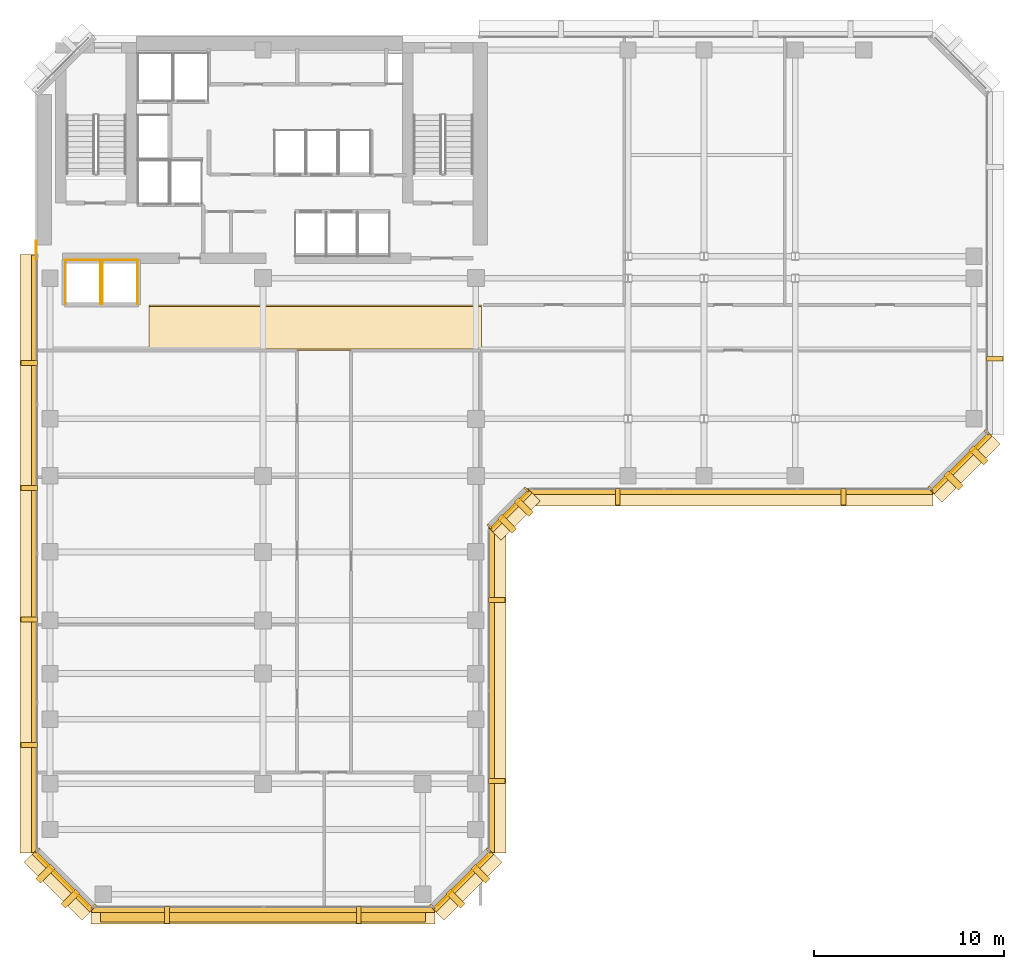
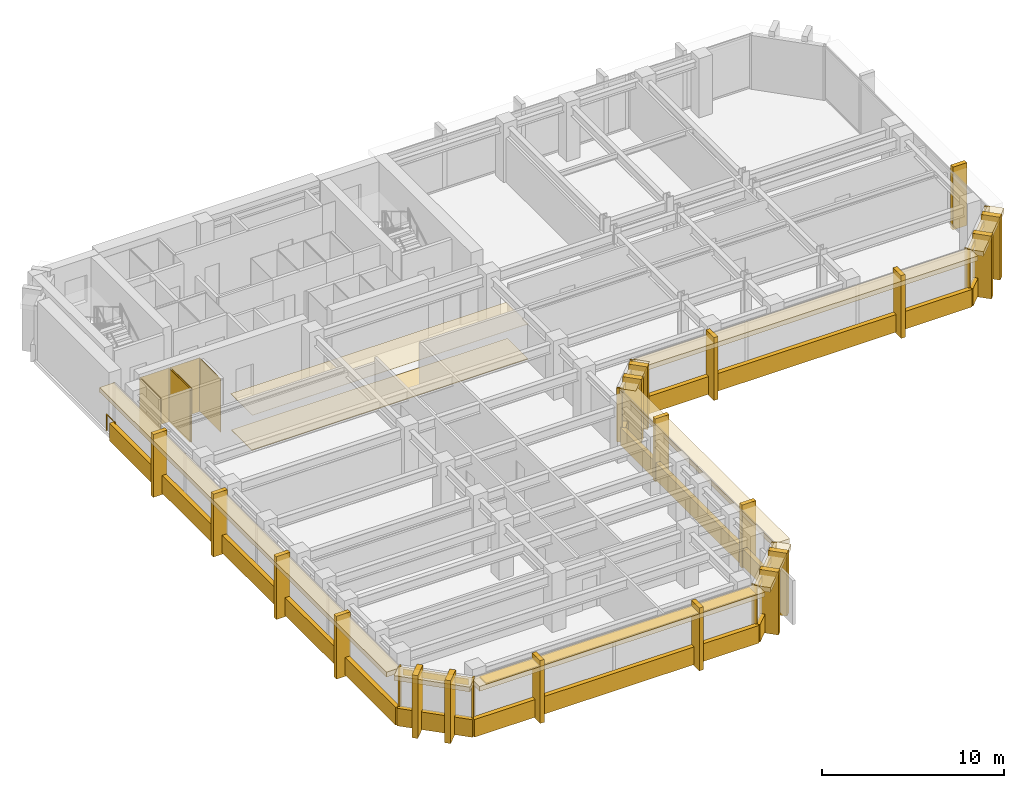
# One storey, part 9 of 11: 55 coverings, 1 railing, 1 shading device.
"""IFC4 building model written with IfcOpenShell, lengths in metres."""

from ifc_helpers import new_model, si_unit, direction, frame, origin, origin_2d, place, context, subcontext, project, spatial, polyline, rectangle, circle, outline, extrude, material, layer, layer_set, type_object, element, save


model = new_model("IFC4")

# Units and contexts
model_context = context("Model", 3, precision=1e-05, world=origin(), true_north=direction((0.0, 1.0)))
body_context = subcontext(model_context, "Body", "Model", "MODEL_VIEW")
ifc_project = project(units=[si_unit("LENGTHUNIT", "METRE"), si_unit("AREAUNIT", "SQUARE_METRE"), si_unit("VOLUMEUNIT", "CUBIC_METRE"), si_unit("PLANEANGLEUNIT", "RADIAN"), si_unit("MASSUNIT", "GRAM", prefix="KILO")], contexts=[model_context])

# Site, building, storey
site_placement = place(None, origin())
site = spatial("IfcSite", under=ifc_project, at=site_placement, CompositionType="ELEMENT")
building_placement = place(site_placement, origin())
building = spatial("IfcBuilding", under=site, at=building_placement, Name="Kefirva Bronze Tower", CompositionType="ELEMENT")
storey_placement = place(building_placement, frame((0.0, 0.0, 170.610107421875)))
storey = spatial("IfcBuildingStorey", under=building, at=storey_placement, Name="L41", CompositionType="ELEMENT", Elevation=170.610107421875)

# Coverings
ifc_material_1 = material(Name="Acoustic mineral tile")
ifc_layer_1 = layer(ifc_material_1, 0.02490234375, Name="Acoustic mineral tile")
ifc_layer_set_1 = layer_set([ifc_layer_1], Name="Acoustic mineral tile")
covering_type_1 = type_object("IfcCoveringType", Name="Acoustic Mineral Suspended Ceiling 25mm", PredefinedType="CEILING", material=ifc_layer_set_1)
covering_1_placement = place(storey_placement, frame((0.0, 0.0, 2.39990234375)))
element("IfcCovering", 1, at=covering_1_placement, inside=storey, type_object=covering_type_1, Name="L41 Corridor Acoustic Ceiling", PredefinedType="CEILING", context=body_context, shape_type="SweptSolid", body=[
    extrude(outline(polyline([(6.0, 29.39990234375), (23.5, 29.39990234375), (23.5, 31.800048828125), (6.0, 31.800048828125), (6.0, 29.39990234375)])), origin(), (0.0, 0.0, 1.0), 0.02490234375),
])
ifc_material_2 = material(Name="Bronze anodised aluminium", Category="aluminium")
ifc_layer_2 = layer(ifc_material_2, 0.02001953125, Name="Bronze anodised aluminium")
ifc_layer_set_2 = layer_set([ifc_layer_2], Name="Bronze anodised aluminium")
covering_type_2 = type_object("IfcCoveringType", Name="Anodised Bronze Spandrel Cladding 20mm", PredefinedType="CLADDING", material=ifc_layer_set_2)
covering_2_placement = place(storey_placement, frame((12.0, -0.0400390625, -0.16015625), z_axis=(0.0, 0.0, 1.0), x_axis=(1.0, 0.0, 0.0)))
element("IfcCovering", 2, at=covering_2_placement, inside=storey, type_object=covering_type_2, Name="L41 Streamline Horizontal Spandrel Band 0", PredefinedType="CLADDING", context=body_context, shape_type="SweptSolid", body=[
    extrude(rectangle(XDim=18.0400390625, YDim=0.280029296875, at=origin_2d()), origin(), (0.0, 0.0, 1.0), 1.179931640625),
])
covering_3_placement = place(storey_placement, frame((22.507080078125, 1.492919921875, 3.18994140625), z_axis=(0.0, 0.0, 1.0), x_axis=(0.707106781187, 0.707106781187, 0.0)))
element("IfcCovering", 3, at=covering_3_placement, inside=storey, type_object=covering_type_2, Name="L41 Bronze Spandrel Cladding 1", PredefinedType="CLADDING", context=body_context, shape_type="SweptSolid", body=[
    extrude(rectangle(XDim=3.719482421875, YDim=0.02001953125, at=origin_2d()), origin(), (0.0, 0.0, 1.0), 0.39990234375),
])
for number, where, z_axis, x_axis, name in (
    (4, (20.91162109375, 0.137939453125, 0.0), (0.0, 0.0, 1.0), (0.707106781187, 0.707106781187, 0.0), "L41 Facade Joint Closure Panel 1S"),
    (5, (23.862060546875, 3.08837890625, 0.0), (0.0, 0.0, 1.0), (0.707106781187, 0.707106781187, 0.0), "L41 Facade Joint Closure Panel 1E"),
):
    element("IfcCovering", number, at=place(storey_placement, frame(where, z_axis=z_axis, x_axis=x_axis)), inside=storey, type_object=covering_type_2, Name=name, PredefinedType="CLADDING", context=body_context, shape_type="SweptSolid", body=[
        extrude(rectangle(XDim=0.10009765625, YDim=0.320068359375, at=origin_2d()), origin(), (0.0, 0.0, 1.0), 3.610107421875),
    ])
covering_4_placement = place(storey_placement, frame((22.5283203125, 1.4716796875, -0.16015625), z_axis=(0.0, 0.0, 1.0), x_axis=(0.707106781187, 0.707106781187, 0.0)))
element("IfcCovering", 6, at=covering_4_placement, inside=storey, type_object=covering_type_2, Name="L41 Streamline Horizontal Spandrel Band 1", PredefinedType="CLADDING", context=body_context, shape_type="SweptSolid", body=[
    extrude(rectangle(XDim=4.28271484375, YDim=0.280029296875, at=origin_2d()), origin(), (0.0, 0.0, 1.0), 1.179931640625),
])
covering_5_placement = place(storey_placement, frame((24.0400390625, 11.5, -0.16015625), z_axis=(0.0, 0.0, 1.0), x_axis=(0.0, 1.0, 0.0)))
element("IfcCovering", 7, at=covering_5_placement, inside=storey, type_object=covering_type_2, Name="L41 Streamline Horizontal Spandrel Band 2", PredefinedType="CLADDING", context=body_context, shape_type="SweptSolid", body=[
    extrude(rectangle(XDim=17.0400390625, YDim=0.280029296875, at=origin_2d()), origin(), (0.0, 0.0, 1.0), 1.179931640625),
])
covering_6_placement = place(storey_placement, frame((25.007080078125, 20.992919921875, 3.18994140625), z_axis=(0.0, 0.0, 1.0), x_axis=(0.707106781187, 0.707106781187, 0.0)))
element("IfcCovering", 8, at=covering_6_placement, inside=storey, type_object=covering_type_2, Name="L41 Bronze Spandrel Cladding 2", PredefinedType="CLADDING", context=body_context, shape_type="SweptSolid", body=[
    extrude(rectangle(XDim=2.446533203125, YDim=0.02001953125, at=origin_2d()), origin(), (0.0, 0.0, 1.0), 0.39990234375),
])
for number, where, z_axis, x_axis, name in (
    (9, (23.91162109375, 20.137939453125, 0.0), (0.0, 0.0, 1.0), (0.707106781187, 0.707106781187, 0.0), "L41 Facade Joint Closure Panel 2S"),
    (10, (25.862060546875, 22.08837890625, 0.0), (0.0, 0.0, 1.0), (0.707106781187, 0.707106781187, 0.0), "L41 Facade Joint Closure Panel 2E"),
):
    element("IfcCovering", number, at=place(storey_placement, frame(where, z_axis=z_axis, x_axis=x_axis)), inside=storey, type_object=covering_type_2, Name=name, PredefinedType="CLADDING", context=body_context, shape_type="SweptSolid", body=[
        extrude(rectangle(XDim=0.10009765625, YDim=0.320068359375, at=origin_2d()), origin(), (0.0, 0.0, 1.0), 3.610107421875),
    ])
covering_7_placement = place(storey_placement, frame((25.0283203125, 20.9716796875, -0.16015625), z_axis=(0.0, 0.0, 1.0), x_axis=(0.707106781187, 0.707106781187, 0.0)))
element("IfcCovering", 11, at=covering_7_placement, inside=storey, type_object=covering_type_2, Name="L41 Streamline Horizontal Spandrel Band 3", PredefinedType="CLADDING", context=body_context, shape_type="SweptSolid", body=[
    extrude(rectangle(XDim=2.868408203125, YDim=0.280029296875, at=origin_2d()), origin(), (0.0, 0.0, 1.0), 1.179931640625),
])
covering_8_placement = place(storey_placement, frame((36.60009765625, 21.9599609375, -0.16015625), z_axis=(0.0, 0.0, 1.0), x_axis=(1.0, 0.0, 0.0)))
element("IfcCovering", 12, at=covering_8_placement, inside=storey, type_object=covering_type_2, Name="L41 Streamline Horizontal Spandrel Band 4", PredefinedType="CLADDING", context=body_context, shape_type="SweptSolid", body=[
    extrude(rectangle(XDim=21.239990234375, YDim=0.280029296875, at=origin_2d()), origin(), (0.0, 0.0, 1.0), 1.179931640625),
])
covering_9_placement = place(storey_placement, frame((48.70703125, 23.492919921875, 3.18994140625), z_axis=(0.0, 0.0, 1.0), x_axis=(0.707106781187, 0.707106781187, 0.0)))
element("IfcCovering", 13, at=covering_9_placement, inside=storey, type_object=covering_type_2, Name="L41 Bronze Spandrel Cladding 3", PredefinedType="CLADDING", context=body_context, shape_type="SweptSolid", body=[
    extrude(rectangle(XDim=3.719482421875, YDim=0.02001953125, at=origin_2d()), origin(), (0.0, 0.0, 1.0), 0.39990234375),
])
for number, where, z_axis, x_axis, name in (
    (14, (47.11181640625, 22.137939453125, 0.0), (0.0, 0.0, 1.0), (0.707106781187, 0.707106781187, 0.0), "L41 Facade Joint Closure Panel 3S"),
    (15, (50.06201171875, 25.08837890625, 0.0), (0.0, 0.0, 1.0), (0.707106781187, 0.707106781187, 0.0), "L41 Facade Joint Closure Panel 3E"),
):
    element("IfcCovering", number, at=place(storey_placement, frame(where, z_axis=z_axis, x_axis=x_axis)), inside=storey, type_object=covering_type_2, Name=name, PredefinedType="CLADDING", context=body_context, shape_type="SweptSolid", body=[
        extrude(rectangle(XDim=0.10009765625, YDim=0.320068359375, at=origin_2d()), origin(), (0.0, 0.0, 1.0), 3.610107421875),
    ])
covering_10_placement = place(storey_placement, frame((48.728271484375, 23.4716796875, -0.16015625), z_axis=(0.0, 0.0, 1.0), x_axis=(0.707106781187, 0.707106781187, 0.0)))
element("IfcCovering", 16, at=covering_10_placement, inside=storey, type_object=covering_type_2, Name="L41 Streamline Horizontal Spandrel Band 5", PredefinedType="CLADDING", context=body_context, shape_type="SweptSolid", body=[
    extrude(rectangle(XDim=4.28271484375, YDim=0.280029296875, at=origin_2d()), origin(), (0.0, 0.0, 1.0), 1.179931640625),
])
covering_11_placement = place(storey_placement, frame((-0.0400390625, 18.697509765625, -0.16015625), z_axis=(0.0, 0.0, 1.0), x_axis=(0.0, -1.0, 0.0)))
element("IfcCovering", 17, at=covering_11_placement, inside=storey, type_object=covering_type_2, Name="L41 Streamline Horizontal Spandrel Band 10", PredefinedType="CLADDING", context=body_context, shape_type="SweptSolid", body=[
    extrude(rectangle(XDim=31.43505859375, YDim=0.280029296875, at=origin_2d()), origin(), (0.0, 0.0, 1.0), 1.179931640625),
])
covering_12_placement = place(storey_placement, frame((1.492919921875, 1.492919921875, 3.18994140625), z_axis=(0.0, 0.0, 1.0), x_axis=(0.707106781187, -0.707106781187, 0.0)))
element("IfcCovering", 18, at=covering_12_placement, inside=storey, type_object=covering_type_2, Name="L41 Bronze Spandrel Cladding 6", PredefinedType="CLADDING", context=body_context, shape_type="SweptSolid", body=[
    extrude(rectangle(XDim=3.719482421875, YDim=0.02001953125, at=origin_2d()), origin(), (0.0, 0.0, 1.0), 0.39990234375),
])
for number, where, z_axis, x_axis, name in (
    (19, (0.137939453125, 3.08837890625, 0.0), (0.0, 0.0, 1.0), (0.707106781187, -0.707106781187, 0.0), "L41 Facade Joint Closure Panel 6S"),
    (20, (3.08837890625, 0.137939453125, 0.0), (0.0, 0.0, 1.0), (0.707106781187, -0.707106781187, 0.0), "L41 Facade Joint Closure Panel 6E"),
):
    element("IfcCovering", number, at=place(storey_placement, frame(where, z_axis=z_axis, x_axis=x_axis)), inside=storey, type_object=covering_type_2, Name=name, PredefinedType="CLADDING", context=body_context, shape_type="SweptSolid", body=[
        extrude(rectangle(XDim=0.10009765625, YDim=0.320068359375, at=origin_2d()), origin(), (0.0, 0.0, 1.0), 3.610107421875),
    ])
covering_13_placement = place(storey_placement, frame((1.4716796875, 1.4716796875, -0.16015625), z_axis=(0.0, 0.0, 1.0), x_axis=(0.707106781187, -0.707106781187, 0.0)))
element("IfcCovering", 21, at=covering_13_placement, inside=storey, type_object=covering_type_2, Name="L41 Streamline Horizontal Spandrel Band 11", PredefinedType="CLADDING", context=body_context, shape_type="SweptSolid", body=[
    extrude(rectangle(XDim=4.28271484375, YDim=0.280029296875, at=origin_2d()), origin(), (0.0, 0.0, 1.0), 1.179931640625),
])
covering_14_placement = place(storey_placement, origin())
element("IfcCovering", 22, at=covering_14_placement, inside=storey, type_object=covering_type_2, Name="L41 Lift OB1 Hoistway Liner N", PredefinedType="CLADDING", context=body_context, shape_type="SweptSolid", body=[
    extrude(outline(polyline([(1.580078125, 34.139892578125), (3.469970703125, 34.139892578125), (3.469970703125, 34.159912109375), (1.580078125, 34.159912109375), (1.580078125, 34.139892578125)])), origin(), (0.0, 0.0, 1.0), 3.60986328125),
])
covering_15_placement = place(storey_placement, origin())
element("IfcCovering", 23, at=covering_15_placement, inside=storey, type_object=covering_type_2, Name="L41 Lift OB1 Hoistway Liner W", PredefinedType="CLADDING", context=body_context, shape_type="SweptSolid", body=[
    extrude(outline(polyline([(1.590087890625, 31.830078125), (1.610107421875, 31.830078125), (1.610107421875, 34.169921875), (1.590087890625, 34.169921875), (1.590087890625, 31.830078125)])), origin(), (0.0, 0.0, 1.0), 3.60986328125),
])
covering_16_placement = place(storey_placement, origin())
element("IfcCovering", 24, at=covering_16_placement, inside=storey, type_object=covering_type_2, Name="L41 Lift OB1 Hoistway Liner E", PredefinedType="CLADDING", context=body_context, shape_type="SweptSolid", body=[
    extrude(outline(polyline([(3.43994140625, 31.830078125), (3.4599609375, 31.830078125), (3.4599609375, 34.169921875), (3.43994140625, 34.169921875), (3.43994140625, 31.830078125)])), origin(), (0.0, 0.0, 1.0), 3.60986328125),
])
covering_17_placement = place(storey_placement, origin())
element("IfcCovering", 25, at=covering_17_placement, inside=storey, type_object=covering_type_2, Name="L41 Lift OB2 Hoistway Liner N", PredefinedType="CLADDING", context=body_context, shape_type="SweptSolid", body=[
    extrude(outline(polyline([(3.530029296875, 34.139892578125), (5.419921875, 34.139892578125), (5.419921875, 34.159912109375), (3.530029296875, 34.159912109375), (3.530029296875, 34.139892578125)])), origin(), (0.0, 0.0, 1.0), 3.60986328125),
])
covering_18_placement = place(storey_placement, origin())
element("IfcCovering", 26, at=covering_18_placement, inside=storey, type_object=covering_type_2, Name="L41 Lift OB2 Hoistway Liner W", PredefinedType="CLADDING", context=body_context, shape_type="SweptSolid", body=[
    extrude(outline(polyline([(3.5400390625, 31.830078125), (3.56005859375, 31.830078125), (3.56005859375, 34.169921875), (3.5400390625, 34.169921875), (3.5400390625, 31.830078125)])), origin(), (0.0, 0.0, 1.0), 3.60986328125),
])
covering_19_placement = place(storey_placement, origin())
element("IfcCovering", 27, at=covering_19_placement, inside=storey, type_object=covering_type_2, Name="L41 Lift OB2 Hoistway Liner E", PredefinedType="CLADDING", context=body_context, shape_type="SweptSolid", body=[
    extrude(outline(polyline([(5.389892578125, 31.830078125), (5.409912109375, 31.830078125), (5.409912109375, 34.169921875), (5.389892578125, 34.169921875), (5.389892578125, 31.830078125)])), origin(), (0.0, 0.0, 1.0), 3.60986328125),
])

# Shading device
ifc_layer_3 = layer(ifc_material_2, 0.090087890625, Name="Bronze anodised aluminium")
ifc_layer_set_3 = layer_set([ifc_layer_3], Name="Bronze anodised aluminium")
shading_device_type = type_object("IfcShadingDeviceType", Name="Horizontal Bronze Sunshade Band 750mm", PredefinedType="JALOUSIE", material=ifc_layer_set_3)
shading_device_placement = place(storey_placement, frame((12.0, -0.294921875, 3.5048828125), z_axis=(0.0, 0.0, 1.0), x_axis=(1.0, 0.0, 0.0)))
element("IfcShadingDevice", 28, at=shading_device_placement, inside=storey, type_object=shading_device_type, Name="L41 Horizontal Bronze Sunshade Band 0", PredefinedType="JALOUSIE", context=body_context, shape_type="SweptSolid", body=[
    extrude(rectangle(XDim=17.090087890625, YDim=0.75, at=origin_2d()), origin(), (0.0, 0.0, 1.0), 0.090087890625),
])

# Railing
ifc_material_3 = material(Name="Stainless steel 316", Category="steel")
railing_type = type_object("IfcRailingType", Name="Interior Stair Guardrail 1100mm", PredefinedType="GUARDRAIL", material=ifc_material_3)
railing_placement = place(storey_placement, frame((0.080078125, 34.199951171875, 0.0)))
element("IfcRailing", 29, at=railing_placement, inside=storey, type_object=railing_type, Name="L41 West Core Junction Guardrail", PredefinedType="GUARDRAIL", context=body_context, shape_type="SweptSolid", body=[
    extrude(circle(Radius=0.02392578125, at=origin_2d()), frame((0.0, 0.0, 1.076171875), z_axis=(0.0, 1.0, 0.0), x_axis=(-1.0, 0.0, 0.0)), (0.0, 0.0, 1.0), 0.949951171875),
    extrude(circle(Radius=0.02099609375, at=origin_2d()), origin(), (0.0, 0.0, 1.0), 1.052001953125),
    extrude(circle(Radius=0.02099609375, at=origin_2d()), frame((0.0, 0.949951171875, 0.0)), (0.0, 0.0, 1.0), 1.052001953125),
])

# Coverings
ifc_material_4 = material(Name="Calcium sulphate access tile")
ifc_layer_4 = layer(ifc_material_4, 0.044921875, Name="Calcium sulphate access tile")
ifc_layer_set_4 = layer_set([ifc_layer_4], Name="Calcium sulphate access tile")
covering_type_3 = type_object("IfcCoveringType", Name="Raised Access Office Flooring 45mm", PredefinedType="FLOORING", material=ifc_layer_set_4)
covering_20_placement = place(storey_placement, origin())
element("IfcCovering", 30, at=covering_20_placement, inside=storey, type_object=covering_type_3, Name="L41 Architectural Finish Flooring", PredefinedType="FLOORING", context=body_context, shape_type="SweptSolid", body=[
    extrude(outline(polyline([(6.0, 29.47998046875), (23.5, 29.47998046875), (23.5, 31.719970703125), (6.0, 31.719970703125), (6.0, 29.47998046875)])), origin(), (0.0, 0.0, 1.0), 0.044921875),
])
ifc_layer_5 = layer(ifc_material_2, 0.179931640625, Name="Bronze anodised aluminium")
ifc_layer_set_5 = layer_set([ifc_layer_5], Name="Bronze anodised aluminium")
covering_type_4 = type_object("IfcCoveringType", Name="Streamline Bronze Sunshade Eyebrow Cladding 180mm", PredefinedType="CLADDING", material=ifc_layer_set_5)
covering_21_placement = place(storey_placement, frame((12.0, -0.31005859375, 3.2900390625), z_axis=(0.0, 0.0, 1.0), x_axis=(1.0, 0.0, 0.0)))
element("IfcCovering", 31, at=covering_21_placement, inside=storey, type_object=covering_type_4, Name="L41 Streamline Bronze Sunshade Eyebrow 0", PredefinedType="CLADDING", context=body_context, shape_type="SweptSolid", body=[
    extrude(rectangle(XDim=18.080078125, YDim=0.93994140625, at=origin_2d()), origin(), (0.0, 0.0, 1.0), 0.320068359375),
])
covering_22_placement = place(storey_placement, frame((22.71923828125, 1.28076171875, 3.2900390625), z_axis=(0.0, 0.0, 1.0), x_axis=(0.707106781187, 0.707106781187, 0.0)))
element("IfcCovering", 32, at=covering_22_placement, inside=storey, type_object=covering_type_4, Name="L41 Streamline Bronze Sunshade Eyebrow 1", PredefinedType="CLADDING", context=body_context, shape_type="SweptSolid", body=[
    extrude(rectangle(XDim=4.322509765625, YDim=0.93994140625, at=origin_2d()), origin(), (0.0, 0.0, 1.0), 0.320068359375),
])
covering_23_placement = place(storey_placement, frame((24.31005859375, 11.5, 3.2900390625), z_axis=(0.0, 0.0, 1.0), x_axis=(0.0, 1.0, 0.0)))
element("IfcCovering", 33, at=covering_23_placement, inside=storey, type_object=covering_type_4, Name="L41 Streamline Bronze Sunshade Eyebrow 2", PredefinedType="CLADDING", context=body_context, shape_type="SweptSolid", body=[
    extrude(rectangle(XDim=17.080078125, YDim=0.93994140625, at=origin_2d()), origin(), (0.0, 0.0, 1.0), 0.320068359375),
])
covering_24_placement = place(storey_placement, frame((25.21923828125, 20.78076171875, 3.2900390625), z_axis=(0.0, 0.0, 1.0), x_axis=(0.707106781187, 0.707106781187, 0.0)))
element("IfcCovering", 34, at=covering_24_placement, inside=storey, type_object=covering_type_4, Name="L41 Streamline Bronze Sunshade Eyebrow 3", PredefinedType="CLADDING", context=body_context, shape_type="SweptSolid", body=[
    extrude(rectangle(XDim=2.908447265625, YDim=0.93994140625, at=origin_2d()), origin(), (0.0, 0.0, 1.0), 0.320068359375),
])
covering_25_placement = place(storey_placement, frame((36.60009765625, 21.68994140625, 3.2900390625), z_axis=(0.0, 0.0, 1.0), x_axis=(1.0, 0.0, 0.0)))
element("IfcCovering", 35, at=covering_25_placement, inside=storey, type_object=covering_type_4, Name="L41 Streamline Bronze Sunshade Eyebrow 4", PredefinedType="CLADDING", context=body_context, shape_type="SweptSolid", body=[
    extrude(rectangle(XDim=21.280029296875, YDim=0.93994140625, at=origin_2d()), origin(), (0.0, 0.0, 1.0), 0.320068359375),
])
covering_26_placement = place(storey_placement, frame((48.919189453125, 23.28076171875, 3.2900390625), z_axis=(0.0, 0.0, 1.0), x_axis=(0.707106781187, 0.707106781187, 0.0)))
element("IfcCovering", 36, at=covering_26_placement, inside=storey, type_object=covering_type_4, Name="L41 Streamline Bronze Sunshade Eyebrow 5", PredefinedType="CLADDING", context=body_context, shape_type="SweptSolid", body=[
    extrude(rectangle(XDim=4.322509765625, YDim=0.93994140625, at=origin_2d()), origin(), (0.0, 0.0, 1.0), 0.320068359375),
])
covering_27_placement = place(storey_placement, frame((-0.31005859375, 18.697509765625, 3.2900390625), z_axis=(0.0, 0.0, 1.0), x_axis=(0.0, -1.0, 0.0)))
element("IfcCovering", 37, at=covering_27_placement, inside=storey, type_object=covering_type_4, Name="L41 Streamline Bronze Sunshade Eyebrow 10", PredefinedType="CLADDING", context=body_context, shape_type="SweptSolid", body=[
    extrude(rectangle(XDim=31.47509765625, YDim=0.93994140625, at=origin_2d()), origin(), (0.0, 0.0, 1.0), 0.320068359375),
])
covering_28_placement = place(storey_placement, frame((1.28076171875, 1.28076171875, 3.2900390625), z_axis=(0.0, 0.0, 1.0), x_axis=(0.707106781187, -0.707106781187, 0.0)))
element("IfcCovering", 38, at=covering_28_placement, inside=storey, type_object=covering_type_4, Name="L41 Streamline Bronze Sunshade Eyebrow 11", PredefinedType="CLADDING", context=body_context, shape_type="SweptSolid", body=[
    extrude(rectangle(XDim=4.322509765625, YDim=0.93994140625, at=origin_2d()), origin(), (0.0, 0.0, 1.0), 0.320068359375),
])
ifc_layer_6 = layer(ifc_material_2, 0.260009765625, Name="Bronze anodised aluminium")
ifc_layer_set_6 = layer_set([ifc_layer_6], Name="Bronze anodised aluminium")
covering_type_5 = type_object("IfcCoveringType", Name="Unbroken Bronze Buttress Fin Cladding 260mm", PredefinedType="CLADDING", material=ifc_layer_set_6)
for number, where, z_axis, x_axis, name in (
    (39, (6.9599609375, -0.300048828125, -0.25), (0.0, 0.0, 1.0), (1.0, 0.0, 0.0), "L41 Unbroken Vertical Bronze Rib Fin 1"),
    (40, (17.0400390625, -0.300048828125, -0.25), (0.0, 0.0, 1.0), (1.0, 0.0, 0.0), "L41 Unbroken Vertical Bronze Rib Fin 2"),
):
    element("IfcCovering", number, at=place(storey_placement, frame(where, z_axis=z_axis, x_axis=x_axis)), inside=storey, type_object=covering_type_5, Name=name, PredefinedType="CLADDING", context=body_context, shape_type="SweptSolid", body=[
        extrude(rectangle(XDim=0.260009765625, YDim=0.8798828125, at=origin_2d()), origin(), (0.0, 0.0, 1.0), 4.2099609375),
    ])
for number, where, z_axis, x_axis, name in (
    (41, (22.122802734375, 0.55712890625, -0.25), (0.0, 0.0, 1.0), (0.707106781187, 0.707106781187, 0.0), "L41 Chamfered Corner Buttress Fin Cladding 3"),
    (42, (23.44287109375, 1.877197265625, -0.25), (0.0, 0.0, 1.0), (0.707106781187, 0.707106781187, 0.0), "L41 Chamfered Corner Buttress Fin Cladding 4"),
):
    element("IfcCovering", number, at=place(storey_placement, frame(where, z_axis=z_axis, x_axis=x_axis)), inside=storey, type_object=covering_type_5, Name=name, PredefinedType="CLADDING", context=body_context, shape_type="SweptSolid", body=[
        extrude(rectangle(XDim=0.340087890625, YDim=1.080078125, at=origin_2d()), origin(), (0.0, 0.0, 1.0), 4.2099609375),
    ])
for number, where, z_axis, x_axis, name in (
    (43, (24.300048828125, 6.739990234375, -0.25), (0.0, 0.0, 1.0), (0.0, 1.0, 0.0), "L41 Unbroken Vertical Bronze Rib Fin 5"),
    (44, (24.300048828125, 16.260009765625, -0.25), (0.0, 0.0, 1.0), (0.0, 1.0, 0.0), "L41 Unbroken Vertical Bronze Rib Fin 6"),
):
    element("IfcCovering", number, at=place(storey_placement, frame(where, z_axis=z_axis, x_axis=x_axis)), inside=storey, type_object=covering_type_5, Name=name, PredefinedType="CLADDING", context=body_context, shape_type="SweptSolid", body=[
        extrude(rectangle(XDim=0.260009765625, YDim=0.8798828125, at=origin_2d()), origin(), (0.0, 0.0, 1.0), 4.2099609375),
    ])
for number, where, z_axis, x_axis, name in (
    (45, (24.8427734375, 20.277099609375, -0.25), (0.0, 0.0, 1.0), (0.707106781187, 0.707106781187, 0.0), "L41 Chamfered Corner Buttress Fin Cladding 7"),
    (46, (25.722900390625, 21.1572265625, -0.25), (0.0, 0.0, 1.0), (0.707106781187, 0.707106781187, 0.0), "L41 Chamfered Corner Buttress Fin Cladding 8"),
):
    element("IfcCovering", number, at=place(storey_placement, frame(where, z_axis=z_axis, x_axis=x_axis)), inside=storey, type_object=covering_type_5, Name=name, PredefinedType="CLADDING", context=body_context, shape_type="SweptSolid", body=[
        extrude(rectangle(XDim=0.340087890625, YDim=1.080078125, at=origin_2d()), origin(), (0.0, 0.0, 1.0), 4.2099609375),
    ])
for number, where, z_axis, x_axis, name in (
    (47, (30.6640625, 21.699951171875, -0.25), (0.0, 0.0, 1.0), (1.0, 0.0, 0.0), "L41 Unbroken Vertical Bronze Rib Fin 9"),
    (48, (42.535888671875, 21.699951171875, -0.25), (0.0, 0.0, 1.0), (1.0, 0.0, 0.0), "L41 Unbroken Vertical Bronze Rib Fin 10"),
):
    element("IfcCovering", number, at=place(storey_placement, frame(where, z_axis=z_axis, x_axis=x_axis)), inside=storey, type_object=covering_type_5, Name=name, PredefinedType="CLADDING", context=body_context, shape_type="SweptSolid", body=[
        extrude(rectangle(XDim=0.260009765625, YDim=0.8798828125, at=origin_2d()), origin(), (0.0, 0.0, 1.0), 4.2099609375),
    ])
for number, where, z_axis, x_axis, name in (
    (49, (48.32275390625, 22.55712890625, -0.25), (0.0, 0.0, 1.0), (0.707106781187, 0.707106781187, 0.0), "L41 Chamfered Corner Buttress Fin Cladding 11"),
    (50, (49.642822265625, 23.877197265625, -0.25), (0.0, 0.0, 1.0), (0.707106781187, 0.707106781187, 0.0), "L41 Chamfered Corner Buttress Fin Cladding 12"),
):
    element("IfcCovering", number, at=place(storey_placement, frame(where, z_axis=z_axis, x_axis=x_axis)), inside=storey, type_object=covering_type_5, Name=name, PredefinedType="CLADDING", context=body_context, shape_type="SweptSolid", body=[
        extrude(rectangle(XDim=0.340087890625, YDim=1.080078125, at=origin_2d()), origin(), (0.0, 0.0, 1.0), 4.2099609375),
    ])
for number, where, z_axis, x_axis, name in (
    (51, (50.5, 28.9599609375, -0.25), (0.0, 0.0, 1.0), (0.0, 1.0, 0.0), "L41 Unbroken Vertical Bronze Rib Fin 13"),
    (52, (-0.300048828125, 28.743896484375, -0.25), (0.0, 0.0, 1.0), (0.0, -1.0, 0.0), "L41 Unbroken Vertical Bronze Rib Fin 23"),
    (53, (-0.300048828125, 22.15087890625, -0.25), (0.0, 0.0, 1.0), (0.0, -1.0, 0.0), "L41 Unbroken Vertical Bronze Rib Fin 24"),
    (54, (-0.300048828125, 15.244140625, -0.25), (0.0, 0.0, 1.0), (0.0, -1.0, 0.0), "L41 Unbroken Vertical Bronze Rib Fin 25"),
    (55, (-0.300048828125, 8.651123046875, -0.25), (0.0, 0.0, 1.0), (0.0, -1.0, 0.0), "L41 Unbroken Vertical Bronze Rib Fin 26"),
):
    element("IfcCovering", number, at=place(storey_placement, frame(where, z_axis=z_axis, x_axis=x_axis)), inside=storey, type_object=covering_type_5, Name=name, PredefinedType="CLADDING", context=body_context, shape_type="SweptSolid", body=[
        extrude(rectangle(XDim=0.260009765625, YDim=0.8798828125, at=origin_2d()), origin(), (0.0, 0.0, 1.0), 4.2099609375),
    ])
for number, where, z_axis, x_axis, name in (
    (56, (0.55712890625, 1.877197265625, -0.25), (0.0, 0.0, 1.0), (0.707106781187, -0.707106781187, 0.0), "L41 Chamfered Corner Buttress Fin Cladding 27"),
    (57, (1.877197265625, 0.55712890625, -0.25), (0.0, 0.0, 1.0), (0.707106781187, -0.707106781187, 0.0), "L41 Chamfered Corner Buttress Fin Cladding 28"),
):
    element("IfcCovering", number, at=place(storey_placement, frame(where, z_axis=z_axis, x_axis=x_axis)), inside=storey, type_object=covering_type_5, Name=name, PredefinedType="CLADDING", context=body_context, shape_type="SweptSolid", body=[
        extrude(rectangle(XDim=0.340087890625, YDim=1.080078125, at=origin_2d()), origin(), (0.0, 0.0, 1.0), 4.2099609375),
    ])

save(model, "model.ifc")
